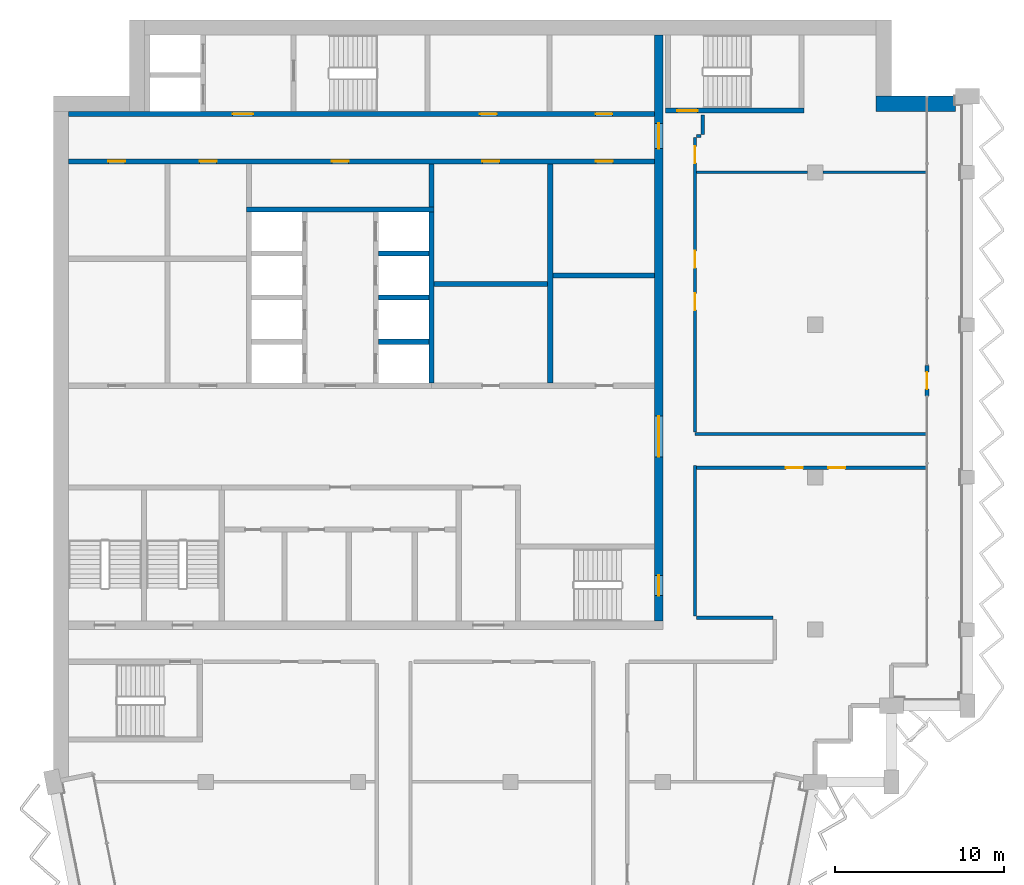
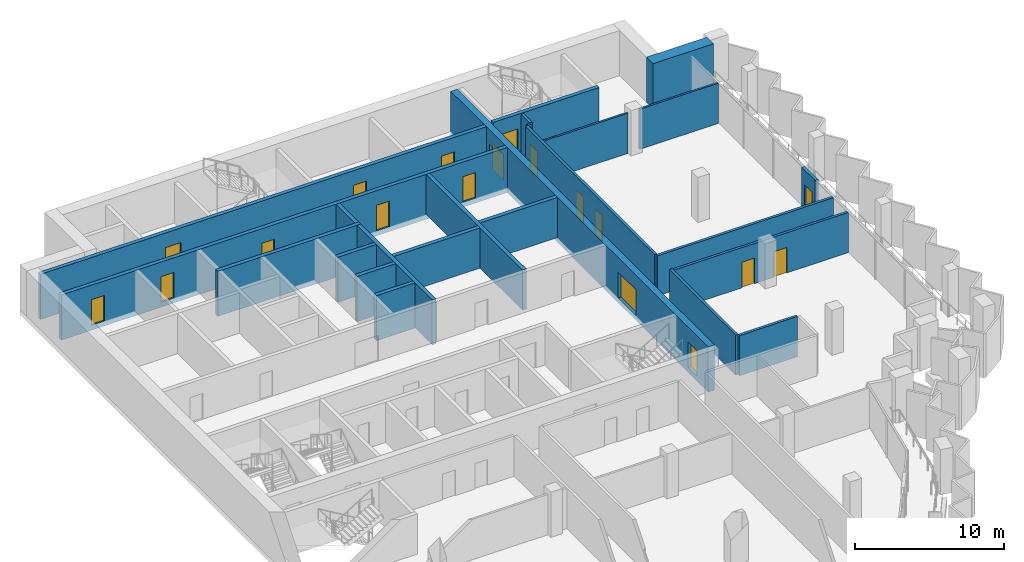
# One storey, part 9 of 14: 24 walls, 18 doors, 18 openings.
"""IFC4 building model written with IfcOpenShell, lengths in metres."""

from ifc_helpers import new_model, si_unit, direction, frame, frame_2d, origin, place, context, subcontext, project, spatial, rectangle, extrude, material, layer, layer_set, type_object, element, fill, save


model = new_model("IFC4")

# Units and contexts
model_context = context("Model", 3, precision=1e-05, world=origin(), true_north=direction((0.0, 1.0)))
body_context = subcontext(model_context, "Body", "Model", "MODEL_VIEW")
ifc_project = project(units=[si_unit("LENGTHUNIT", "METRE"), si_unit("AREAUNIT", "SQUARE_METRE"), si_unit("VOLUMEUNIT", "CUBIC_METRE"), si_unit("PLANEANGLEUNIT", "RADIAN"), si_unit("MASSUNIT", "GRAM", prefix="KILO")], contexts=[model_context])

# Site, building, storey
site_placement = place(None, origin())
site = spatial("IfcSite", under=ifc_project, at=site_placement, CompositionType="ELEMENT")
building_placement = place(site_placement, origin())
building = spatial("IfcBuilding", under=site, at=building_placement, Name="Hunhe Ridgeline Campus", CompositionType="ELEMENT")
storey_placement = place(building_placement, frame((0.0, 0.0, 295.60009765625)))
storey = spatial("IfcBuildingStorey", under=building, at=storey_placement, Name="L76", CompositionType="ELEMENT", Elevation=295.60009765625)

# Walls
ifc_material_1 = material(Name="Masonry concrete blockwork", Category="masonry")
ifc_layer_1 = layer(ifc_material_1, 0.300048828125)
ifc_layer_set_1 = layer_set([ifc_layer_1], Name="Core room partition 300 concrete block")
wall_type_1 = type_object("IfcWallType", Name="Core room partition 300 concrete block", PredefinedType="PARTITIONING", material=ifc_layer_set_1)
wall_1_placement = place(storey_placement, frame((22.5, 83.39990234375, 0.0), z_axis=(0.0, 0.0, 1.0), x_axis=(1.0, 0.0, 0.0)))
element("IfcWall", 1, at=wall_1_placement, inside=storey, type_object=wall_type_1, Name="L76 core partition 14", PredefinedType="PARTITIONING", context=body_context, shape_type="SweptSolid", body=[
    extrude(rectangle(XDim=6.699951171875, YDim=0.300048828125, at=frame_2d((3.35009765625, 0.0))), origin(), (0.0, 0.0, 1.0), 3.2998046875),
])
wall_2_placement = place(storey_placement, frame((29.5, 83.89990234375, 0.0), z_axis=(0.0, 0.0, 1.0), x_axis=(1.0, 0.0, 0.0)))
element("IfcWall", 2, at=wall_2_placement, inside=storey, type_object=wall_type_1, Name="L76 core partition 15", PredefinedType="PARTITIONING", context=body_context, shape_type="SweptSolid", body=[
    extrude(rectangle(XDim=6.0, YDim=0.300048828125, at=frame_2d((3.0, 0.0))), origin(), (0.0, 0.0, 1.0), 3.2998046875),
])
wall_3_placement = place(storey_placement, frame((22.35009765625, 87.949951171875, 0.0), z_axis=(0.0, 0.0, 1.0), x_axis=(0.0, 1.0, 0.0)))
element("IfcWall", 3, at=wall_3_placement, inside=storey, type_object=wall_type_1, Name="L76 core partition 40", PredefinedType="PARTITIONING", context=body_context, shape_type="SweptSolid", body=[
    extrude(rectangle(XDim=2.550048828125, YDim=0.300048828125, at=frame_2d((1.27490234375, 0.0))), origin(), (0.0, 0.0, 1.0), 3.2998046875),
])
wall_4_placement = place(storey_placement, frame((29.35009765625, 77.550048828125, 0.0), z_axis=(0.0, 0.0, 1.0), x_axis=(0.0, 1.0, 0.0)))
element("IfcWall", 4, at=wall_4_placement, inside=storey, type_object=wall_type_1, Name="L76 core partition 45", PredefinedType="PARTITIONING", context=body_context, shape_type="SweptSolid", body=[
    extrude(rectangle(XDim=12.949951171875, YDim=0.300048828125, at=frame_2d((6.47509765625, 0.0))), origin(), (0.0, 0.0, 1.0), 3.2998046875),
])

# Wall, openings, doors
ifc_material_2 = material(Name="Concrete C50", Category="concrete")
ifc_layer_2 = layer(ifc_material_2, 0.5)
ifc_layer_set_2 = layer_set([ifc_layer_2], Name="Core wall 500 reinforced concrete C50")
wall_type_2 = type_object("IfcWallType", Name="Core wall 500 reinforced concrete C50", PredefinedType="SOLIDWALL", material=ifc_layer_set_2)
wall_5_placement = place(storey_placement, frame((35.75, 63.5, -0.400146484375), z_axis=(0.0, 0.0, 1.0), x_axis=(0.0, 1.0, 0.0)))
wall_5 = element("IfcWall", 5, at=wall_5_placement, inside=storey, type_object=wall_type_2, Name="L76 core wall 46", PredefinedType="SOLIDWALL", context=body_context, shape_type="SweptSolid", body=[
    extrude(rectangle(XDim=34.60009765625, YDim=0.5, at=frame_2d((17.300048828125, 0.0))), origin(), (0.0, 0.0, 1.0), 3.699951171875),
])
opening_1_placement = place(wall_5_placement, frame((9.699951171875, 0.0, 0.39990234375)))
opening_1 = element("IfcOpeningElement", 6, at=opening_1_placement, cuts=wall_5, Name="Opening CD4", PredefinedType="OPENING", context=body_context, shape_type="SweptSolid", body=[
    extrude(rectangle(XDim=2.39990234375, YDim=2.10009765625, at=frame_2d((1.199951171875, 1.050048828125))), frame((0.0, 0.25, 0.0), z_axis=(0.0, -1.0, 0.0), x_axis=(1.0, 0.0, 0.0)), (0.0, 0.0, 1.0), 0.5),
])
opening_2_placement = place(wall_5_placement, frame((27.89990234375, 0.0, 0.39990234375)))
opening_2 = element("IfcOpeningElement", 7, at=opening_2_placement, cuts=wall_5, Name="Opening CD5", PredefinedType="OPENING", context=body_context, shape_type="SweptSolid", body=[
    extrude(rectangle(XDim=1.5, YDim=2.10009765625, at=frame_2d((0.75, 1.050048828125))), frame((0.0, 0.25, 0.0), z_axis=(0.0, -1.0, 0.0), x_axis=(1.0, 0.0, 0.0)), (0.0, 0.0, 1.0), 0.5),
])
opening_3_placement = place(wall_5_placement, frame((1.5, 0.0, 0.39990234375)))
opening_3 = element("IfcOpeningElement", 8, at=opening_3_placement, cuts=wall_5, Name="Opening CD15", PredefinedType="OPENING", context=body_context, shape_type="SweptSolid", body=[
    extrude(rectangle(XDim=1.199951171875, YDim=2.10009765625, at=frame_2d((0.60009765625, 1.050048828125))), frame((0.0, 0.25, 0.0), z_axis=(0.0, -1.0, 0.0), x_axis=(1.0, 0.0, 0.0)), (0.0, 0.0, 1.0), 0.5),
])
ifc_material_3 = material(Name="Anodised aluminium and glass", Category="aluminium")
door_type_1 = type_object("IfcDoorType", Name="Glazed double door 2400x2100", OperationType="DOUBLE_DOOR_SINGLE_SWING", PredefinedType="DOOR", material=ifc_material_3)
door_1_placement = place(opening_1_placement, frame((2.39990234375, 0.0, 0.0), z_axis=(0.0, 0.0, 1.0), x_axis=(-1.0, 0.0, 0.0)))
door_1 = element("IfcDoor", 9, at=door_1_placement, inside=storey, type_object=door_type_1, Name="L76 door HALL-FLOOR", OperationType="DOUBLE_DOOR_SINGLE_SWING", OverallHeight=2.10009765625, OverallWidth=2.39990234375, PredefinedType="DOOR", context=body_context, shape_type="SweptSolid", body=[
    extrude(rectangle(XDim=2.39990234375, YDim=2.10009765625, at=frame_2d((1.199951171875, 1.050048828125))), frame((0.0, 0.02490234375, 0.0), z_axis=(0.0, -1.0, 0.0), x_axis=(1.0, 0.0, 0.0)), (0.0, 0.0, 1.0), 0.050048828125),
])
fill(opening_1, door_1)
ifc_material_4 = material(Name="Hollow metal fire door leaf")
door_type_2 = type_object("IfcDoorType", Name="Stair door 1200x2100 FD60", OperationType="SINGLE_SWING_LEFT", PredefinedType="DOOR", material=ifc_material_4)
door_2_placement = place(opening_3_placement, frame((1.199951171875, 0.0, 0.0), z_axis=(0.0, 0.0, 1.0), x_axis=(-1.0, 0.0, 0.0)))
door_2 = element("IfcDoor", 10, at=door_2_placement, inside=storey, type_object=door_type_2, Name="L76 door S2-FLOOR", OperationType="SINGLE_SWING_LEFT", OverallHeight=2.10009765625, OverallWidth=1.199951171875, PredefinedType="DOOR", context=body_context, shape_type="SweptSolid", body=[
    extrude(rectangle(XDim=1.199951171875, YDim=2.10009765625, at=frame_2d((0.60009765625, 1.050048828125))), frame((0.0, 0.02490234375, 0.0), z_axis=(0.0, -1.0, 0.0), x_axis=(1.0, 0.0, 0.0)), (0.0, 0.0, 1.0), 0.050048828125),
])
fill(opening_3, door_2)
ifc_material_5 = material(Name="Solid core timber door leaf", Category="wood")
door_type_3 = type_object("IfcDoorType", Name="Timber door 1500x2100", OperationType="SINGLE_SWING_LEFT", PredefinedType="DOOR", material=ifc_material_5)
door_3_placement = place(opening_2_placement, frame((1.5, 0.0, 0.0), z_axis=(0.0, 0.0, 1.0), x_axis=(-1.0, 0.0, 0.0)))
door_3 = element("IfcDoor", 11, at=door_3_placement, inside=storey, type_object=door_type_3, Name="L76 door C1-FLOOR", OperationType="SINGLE_SWING_LEFT", OverallHeight=2.10009765625, OverallWidth=1.5, PredefinedType="DOOR", context=body_context, shape_type="SweptSolid", body=[
    extrude(rectangle(XDim=1.5, YDim=2.10009765625, at=frame_2d((0.75, 1.050048828125))), frame((0.0, 0.02490234375, 0.0), z_axis=(0.0, -1.0, 0.0), x_axis=(1.0, 0.0, 0.0)), (0.0, 0.0, 1.0), 0.050048828125),
])
fill(opening_2, door_3)

# Wall
ifc_material_6 = material(Name="Gypsum board partition")
ifc_layer_3 = layer(ifc_material_6, 0.199951171875)
ifc_layer_set_3 = layer_set([ifc_layer_3], Name="Corridor partition 200 gypsum board on steel studs")
wall_type_3 = type_object("IfcWallType", Name="Corridor partition 200 gypsum board on steel studs", PredefinedType="PARTITIONING", material=ifc_layer_set_3)
wall_6_placement = place(storey_placement, frame((38.0, 63.699951171875, 0.0), z_axis=(0.0, 0.0, 1.0), x_axis=(1.0, 0.0, 0.0)))
element("IfcWall", 12, at=wall_6_placement, inside=storey, type_object=wall_type_3, Name="F-L76-wall-011", PredefinedType="PARTITIONING", context=body_context, shape_type="SweptSolid", body=[
    extrude(rectangle(XDim=4.5, YDim=0.199951171875, at=frame_2d((2.25, 0.0))), origin(), (0.0, 0.0, 1.0), 3.2998046875),
])

# Wall, openings, doors
wall_7_placement = place(storey_placement, frame((51.544921875, 72.550048828125, 0.0), z_axis=(0.0, 0.0, 1.0), x_axis=(-1.0, 0.0, 0.0)))
wall_7 = element("IfcWall", 13, at=wall_7_placement, inside=storey, type_object=wall_type_3, Name="F-L76-wall-012", PredefinedType="PARTITIONING", context=body_context, shape_type="SweptSolid", body=[
    extrude(rectangle(XDim=13.544921875, YDim=0.199951171875, at=frame_2d((6.7724609375, 0.0))), origin(), (0.0, 0.0, 1.0), 3.2998046875),
])
opening_4_placement = place(wall_7_placement, frame((7.2724609375, 0.0, 0.0)))
opening_4 = element("IfcOpeningElement", 14, at=opening_4_placement, cuts=wall_7, Name="Opening RD1-012", PredefinedType="OPENING", context=body_context, shape_type="SweptSolid", body=[
    extrude(rectangle(XDim=1.0, YDim=2.10009765625, at=frame_2d((0.5, 1.050048828125))), frame((0.0, 0.10009765625, 0.0), z_axis=(0.0, -1.0, 0.0), x_axis=(1.0, 0.0, 0.0)), (0.0, 0.0, 1.0), 0.199951171875),
])
opening_5_placement = place(wall_7_placement, frame((4.7724609375, 0.0, 0.0)))
opening_5 = element("IfcOpeningElement", 15, at=opening_5_placement, cuts=wall_7, Name="Opening RD1-013", PredefinedType="OPENING", context=body_context, shape_type="SweptSolid", body=[
    extrude(rectangle(XDim=1.0, YDim=2.10009765625, at=frame_2d((0.5, 1.050048828125))), frame((0.0, 0.10009765625, 0.0), z_axis=(0.0, -1.0, 0.0), x_axis=(1.0, 0.0, 0.0)), (0.0, 0.0, 1.0), 0.199951171875),
])
ifc_material_7 = material(Name="Timber door leaf", Category="wood")
door_type_4 = type_object("IfcDoorType", Name="Single fire door 1000x2100 timber FD60", OperationType="NOTDEFINED", PredefinedType="DOOR", material=ifc_material_7)
door_4_placement = place(opening_4_placement, frame((1.0, 0.0, 0.0), z_axis=(0.0, 0.0, 1.0), x_axis=(-1.0, 0.0, 0.0)))
door_4 = element("IfcDoor", 16, at=door_4_placement, inside=storey, type_object=door_type_4, Name="F-L76-door-012", OperationType="SINGLE_SWING_LEFT", OverallHeight=2.10009765625, OverallWidth=1.0, PredefinedType="DOOR", context=body_context, shape_type="SweptSolid", body=[
    extrude(rectangle(XDim=1.0, YDim=2.10009765625, at=frame_2d((0.5, 1.050048828125))), frame((0.0, 0.02490234375, 0.0), z_axis=(0.0, -1.0, 0.0), x_axis=(1.0, 0.0, 0.0)), (0.0, 0.0, 1.0), 0.050048828125),
])
fill(opening_4, door_4)
door_5_placement = place(opening_5_placement, frame((1.0, 0.0, 0.0), z_axis=(0.0, 0.0, 1.0), x_axis=(-1.0, 0.0, 0.0)))
door_5 = element("IfcDoor", 17, at=door_5_placement, inside=storey, type_object=door_type_4, Name="F-L76-door-013", OperationType="SINGLE_SWING_RIGHT", OverallHeight=2.10009765625, OverallWidth=1.0, PredefinedType="DOOR", context=body_context, shape_type="SweptSolid", body=[
    extrude(rectangle(XDim=1.0, YDim=2.10009765625, at=frame_2d((0.5, 1.050048828125))), frame((0.0, 0.02490234375, 0.0), z_axis=(0.0, -1.0, 0.0), x_axis=(1.0, 0.0, 0.0)), (0.0, 0.0, 1.0), 0.050048828125),
])
fill(opening_5, door_5)

# Walls
wall_8_placement = place(storey_placement, frame((37.89990234375, 74.550048828125, 0.0), z_axis=(0.0, 0.0, 1.0), x_axis=(1.0, 0.0, 0.0)))
element("IfcWall", 18, at=wall_8_placement, inside=storey, type_object=wall_type_3, Name="F-L76-wall-013", PredefinedType="PARTITIONING", context=body_context, shape_type="SweptSolid", body=[
    extrude(rectangle(XDim=13.64501953125, YDim=0.199951171875, at=frame_2d((6.822509765625, 0.0))), origin(), (0.0, 0.0, 1.0), 3.2998046875),
])
wall_9_placement = place(storey_placement, frame((38.25, 92.14990234375, 0.0), z_axis=(0.0, 0.0, 1.0), x_axis=(-1.0, 0.0, 0.0)))
element("IfcWall", 19, at=wall_9_placement, inside=storey, type_object=wall_type_3, Name="F-L76-wall-016", PredefinedType="PARTITIONING", context=body_context, shape_type="SweptSolid", body=[
    extrude(rectangle(XDim=0.25, YDim=0.199951171875, at=frame_2d((0.125, 0.0))), origin(), (0.0, 0.0, 1.0), 3.2998046875),
])
wall_10_placement = place(storey_placement, frame((37.89990234375, 72.684326171875, 0.0), z_axis=(0.0, 0.0, 1.0), x_axis=(0.0, -1.0, 0.0)))
element("IfcWall", 20, at=wall_10_placement, inside=storey, type_object=wall_type_3, Name="F-L76-wall-022", PredefinedType="PARTITIONING", context=body_context, shape_type="SweptSolid", body=[
    extrude(rectangle(XDim=8.88427734375, YDim=0.199951171875, at=frame_2d((4.442138671875, 0.0))), origin(), (0.0, 0.0, 1.0), 3.2998046875),
])

# Wall, openings, doors
wall_11_placement = place(storey_placement, frame((37.89990234375, 92.050048828125, 0.0), z_axis=(0.0, 0.0, 1.0), x_axis=(0.0, -1.0, 0.0)))
wall_11 = element("IfcWall", 21, at=wall_11_placement, inside=storey, type_object=wall_type_3, Name="F-L76-wall-023", PredefinedType="PARTITIONING", context=body_context, shape_type="SweptSolid", body=[
    extrude(rectangle(XDim=17.369384765625, YDim=0.199951171875, at=frame_2d((8.6845703125, 0.0))), origin(), (0.0, 0.0, 1.0), 3.2998046875),
])
opening_6_placement = place(wall_11_placement, frame((9.191650390625, 0.0, 0.0)))
opening_6 = element("IfcOpeningElement", 22, at=opening_6_placement, cuts=wall_11, Name="Opening RD1-014", PredefinedType="OPENING", context=body_context, shape_type="SweptSolid", body=[
    extrude(rectangle(XDim=1.0, YDim=2.10009765625, at=frame_2d((0.5, 1.050048828125))), frame((0.0, 0.10009765625, 0.0), z_axis=(0.0, -1.0, 0.0), x_axis=(1.0, 0.0, 0.0)), (0.0, 0.0, 1.0), 0.199951171875),
])
opening_7_placement = place(wall_11_placement, frame((6.691650390625, 0.0, 0.0)))
opening_7 = element("IfcOpeningElement", 23, at=opening_7_placement, cuts=wall_11, Name="Opening RD1-015", PredefinedType="OPENING", context=body_context, shape_type="SweptSolid", body=[
    extrude(rectangle(XDim=1.0, YDim=2.10009765625, at=frame_2d((0.5, 1.050048828125))), frame((0.0, 0.10009765625, 0.0), z_axis=(0.0, -1.0, 0.0), x_axis=(1.0, 0.0, 0.0)), (0.0, 0.0, 1.0), 0.199951171875),
])
opening_8_placement = place(wall_11_placement, frame((0.5068359375, 0.0, 0.0)))
opening_8 = element("IfcOpeningElement", 24, at=opening_8_placement, cuts=wall_11, Name="Opening RD1-016", PredefinedType="OPENING", context=body_context, shape_type="SweptSolid", body=[
    extrude(rectangle(XDim=1.0, YDim=2.10009765625, at=frame_2d((0.5, 1.050048828125))), frame((0.0, 0.10009765625, 0.0), z_axis=(0.0, -1.0, 0.0), x_axis=(1.0, 0.0, 0.0)), (0.0, 0.0, 1.0), 0.199951171875),
])
door_6_placement = place(opening_6_placement, frame((1.0, 0.0, 0.0), z_axis=(0.0, 0.0, 1.0), x_axis=(-1.0, 0.0, 0.0)))
door_6 = element("IfcDoor", 25, at=door_6_placement, inside=storey, type_object=door_type_4, Name="F-L76-door-014", OperationType="SINGLE_SWING_RIGHT", OverallHeight=2.10009765625, OverallWidth=1.0, PredefinedType="DOOR", context=body_context, shape_type="SweptSolid", body=[
    extrude(rectangle(XDim=1.0, YDim=2.10009765625, at=frame_2d((0.5, 1.050048828125))), frame((0.0, 0.02490234375, 0.0), z_axis=(0.0, -1.0, 0.0), x_axis=(1.0, 0.0, 0.0)), (0.0, 0.0, 1.0), 0.050048828125),
])
fill(opening_6, door_6)
door_7_placement = place(opening_7_placement, frame((1.0, 0.0, 0.0), z_axis=(0.0, 0.0, 1.0), x_axis=(-1.0, 0.0, 0.0)))
door_7 = element("IfcDoor", 26, at=door_7_placement, inside=storey, type_object=door_type_4, Name="F-L76-door-015", OperationType="SINGLE_SWING_RIGHT", OverallHeight=2.10009765625, OverallWidth=1.0, PredefinedType="DOOR", context=body_context, shape_type="SweptSolid", body=[
    extrude(rectangle(XDim=1.0, YDim=2.10009765625, at=frame_2d((0.5, 1.050048828125))), frame((0.0, 0.02490234375, 0.0), z_axis=(0.0, -1.0, 0.0), x_axis=(1.0, 0.0, 0.0)), (0.0, 0.0, 1.0), 0.050048828125),
])
fill(opening_7, door_7)
door_8_placement = place(opening_8_placement, frame((1.0, 0.0, 0.0), z_axis=(0.0, 0.0, 1.0), x_axis=(-1.0, 0.0, 0.0)))
door_8 = element("IfcDoor", 27, at=door_8_placement, inside=storey, type_object=door_type_4, Name="F-L76-door-016", OperationType="SINGLE_SWING_RIGHT", OverallHeight=2.10009765625, OverallWidth=1.0, PredefinedType="DOOR", context=body_context, shape_type="SweptSolid", body=[
    extrude(rectangle(XDim=1.0, YDim=2.10009765625, at=frame_2d((0.5, 1.050048828125))), frame((0.0, 0.02490234375, 0.0), z_axis=(0.0, -1.0, 0.0), x_axis=(1.0, 0.0, 0.0)), (0.0, 0.0, 1.0), 0.050048828125),
])
fill(opening_8, door_8)

# Wall
wall_12_placement = place(storey_placement, frame((38.35009765625, 93.39599609375, 0.0), z_axis=(0.0, 0.0, 1.0), x_axis=(0.0, -1.0, 0.0)))
element("IfcWall", 28, at=wall_12_placement, inside=storey, type_object=wall_type_3, Name="F-L76-wall-024", PredefinedType="PARTITIONING", context=body_context, shape_type="SweptSolid", body=[
    extrude(rectangle(XDim=1.14599609375, YDim=0.199951171875, at=frame_2d((0.572998046875, 0.0))), origin(), (0.0, 0.0, 1.0), 3.2998046875),
])

# Wall, openings, doors
ifc_layer_4 = layer(ifc_material_2, 0.300048828125)
ifc_layer_set_4 = layer_set([ifc_layer_4], Name="Lobby wall 300 reinforced concrete C50")
wall_type_4 = type_object("IfcWallType", Name="Lobby wall 300 reinforced concrete C50", PredefinedType="SOLIDWALL", material=ifc_layer_set_4)
wall_13_placement = place(storey_placement, frame((0.89990234375, 90.64990234375, -0.400146484375), z_axis=(0.0, 0.0, 1.0), x_axis=(1.0, 0.0, 0.0)))
wall_13 = element("IfcWall", 29, at=wall_13_placement, inside=storey, type_object=wall_type_4, Name="L76 core wall 20", PredefinedType="SOLIDWALL", context=body_context, shape_type="SweptSolid", body=[
    extrude(rectangle(XDim=34.60009765625, YDim=0.300048828125, at=frame_2d((17.300048828125, 0.0))), origin(), (0.0, 0.0, 1.0), 3.699951171875),
])
opening_9_placement = place(wall_13_placement, frame((15.550048828125, 0.0, 0.39990234375)))
opening_9 = element("IfcOpeningElement", 30, at=opening_9_placement, cuts=wall_13, Name="Opening CD26", PredefinedType="OPENING", context=body_context, shape_type="SweptSolid", body=[
    extrude(rectangle(XDim=1.0, YDim=2.10009765625, at=frame_2d((0.5, 1.050048828125))), frame((0.0, 0.14990234375, 0.0), z_axis=(0.0, -1.0, 0.0), x_axis=(1.0, 0.0, 0.0)), (0.0, 0.0, 1.0), 0.300048828125),
])
opening_10_placement = place(wall_13_placement, frame((2.35009765625, 0.0, 0.39990234375)))
opening_10 = element("IfcOpeningElement", 31, at=opening_10_placement, cuts=wall_13, Name="Opening CD40", PredefinedType="OPENING", context=body_context, shape_type="SweptSolid", body=[
    extrude(rectangle(XDim=1.0, YDim=2.10009765625, at=frame_2d((0.5, 1.050048828125))), frame((0.0, 0.14990234375, 0.0), z_axis=(0.0, -1.0, 0.0), x_axis=(1.0, 0.0, 0.0)), (0.0, 0.0, 1.0), 0.300048828125),
])
opening_11_placement = place(wall_13_placement, frame((7.75, 0.0, 0.39990234375)))
opening_11 = element("IfcOpeningElement", 32, at=opening_11_placement, cuts=wall_13, Name="Opening CD43", PredefinedType="OPENING", context=body_context, shape_type="SweptSolid", body=[
    extrude(rectangle(XDim=1.0, YDim=2.10009765625, at=frame_2d((0.5, 1.050048828125))), frame((0.0, 0.14990234375, 0.0), z_axis=(0.0, -1.0, 0.0), x_axis=(1.0, 0.0, 0.0)), (0.0, 0.0, 1.0), 0.300048828125),
])
opening_12_placement = place(wall_13_placement, frame((24.449951171875, 0.0, 0.39990234375)))
opening_12 = element("IfcOpeningElement", 33, at=opening_12_placement, cuts=wall_13, Name="Opening CD33", PredefinedType="OPENING", context=body_context, shape_type="SweptSolid", body=[
    extrude(rectangle(XDim=1.0, YDim=2.10009765625, at=frame_2d((0.5, 1.050048828125))), frame((0.0, 0.14990234375, 0.0), z_axis=(0.0, -1.0, 0.0), x_axis=(1.0, 0.0, 0.0)), (0.0, 0.0, 1.0), 0.300048828125),
])
opening_13_placement = place(wall_13_placement, frame((31.14990234375, 0.0, 0.39990234375)))
opening_13 = element("IfcOpeningElement", 34, at=opening_13_placement, cuts=wall_13, Name="Opening CD44", PredefinedType="OPENING", context=body_context, shape_type="SweptSolid", body=[
    extrude(rectangle(XDim=1.0, YDim=2.10009765625, at=frame_2d((0.5, 1.050048828125))), frame((0.0, 0.14990234375, 0.0), z_axis=(0.0, -1.0, 0.0), x_axis=(1.0, 0.0, 0.0)), (0.0, 0.0, 1.0), 0.300048828125),
])
door_type_5 = type_object("IfcDoorType", Name="Timber door 1000x2100", OperationType="SINGLE_SWING_LEFT", PredefinedType="DOOR", material=ifc_material_5)
door_9_placement = place(opening_9_placement, frame((1.0, 0.0, 0.0), z_axis=(0.0, 0.0, 1.0), x_axis=(-1.0, 0.0, 0.0)))
door_9 = element("IfcDoor", 35, at=door_9_placement, inside=storey, type_object=door_type_5, Name="L76 door NR-0", OperationType="SINGLE_SWING_LEFT", OverallHeight=2.10009765625, OverallWidth=1.0, PredefinedType="DOOR", context=body_context, shape_type="SweptSolid", body=[
    extrude(rectangle(XDim=1.0, YDim=2.10009765625, at=frame_2d((0.5, 1.050048828125))), frame((0.0, 0.02490234375, 0.0), z_axis=(0.0, -1.0, 0.0), x_axis=(1.0, 0.0, 0.0)), (0.0, 0.0, 1.0), 0.050048828125),
])
fill(opening_9, door_9)
door_10_placement = place(opening_10_placement, frame((1.0, 0.0, 0.0), z_axis=(0.0, 0.0, 1.0), x_axis=(-1.0, 0.0, 0.0)))
door_10 = element("IfcDoor", 36, at=door_10_placement, inside=storey, type_object=door_type_5, Name="L76 door VD-LR1", OperationType="SINGLE_SWING_LEFT", OverallHeight=2.10009765625, OverallWidth=1.0, PredefinedType="DOOR", context=body_context, shape_type="SweptSolid", body=[
    extrude(rectangle(XDim=1.0, YDim=2.10009765625, at=frame_2d((0.5, 1.050048828125))), frame((0.0, 0.02490234375, 0.0), z_axis=(0.0, -1.0, 0.0), x_axis=(1.0, 0.0, 0.0)), (0.0, 0.0, 1.0), 0.050048828125),
])
fill(opening_10, door_10)
door_11_placement = place(opening_11_placement, frame((1.0, 0.0, 0.0), z_axis=(0.0, 0.0, 1.0), x_axis=(-1.0, 0.0, 0.0)))
door_11 = element("IfcDoor", 37, at=door_11_placement, inside=storey, type_object=door_type_5, Name="L76 door VD-LR3", OperationType="SINGLE_SWING_LEFT", OverallHeight=2.10009765625, OverallWidth=1.0, PredefinedType="DOOR", context=body_context, shape_type="SweptSolid", body=[
    extrude(rectangle(XDim=1.0, YDim=2.10009765625, at=frame_2d((0.5, 1.050048828125))), frame((0.0, 0.02490234375, 0.0), z_axis=(0.0, -1.0, 0.0), x_axis=(1.0, 0.0, 0.0)), (0.0, 0.0, 1.0), 0.050048828125),
])
fill(opening_11, door_11)
door_12_placement = place(opening_12_placement, frame((1.0, 0.0, 0.0), z_axis=(0.0, 0.0, 1.0), x_axis=(-1.0, 0.0, 0.0)))
door_12 = element("IfcDoor", 38, at=door_12_placement, inside=storey, type_object=door_type_5, Name="L76 door ES1", OperationType="SINGLE_SWING_RIGHT", OverallHeight=2.10009765625, OverallWidth=1.0, PredefinedType="DOOR", context=body_context, shape_type="SweptSolid", body=[
    extrude(rectangle(XDim=1.0, YDim=2.10009765625, at=frame_2d((0.5, 1.050048828125))), frame((0.0, 0.02490234375, 0.0), z_axis=(0.0, -1.0, 0.0), x_axis=(1.0, 0.0, 0.0)), (0.0, 0.0, 1.0), 0.050048828125),
])
fill(opening_12, door_12)
door_13_placement = place(opening_13_placement, frame((1.0, 0.0, 0.0), z_axis=(0.0, 0.0, 1.0), x_axis=(-1.0, 0.0, 0.0)))
door_13 = element("IfcDoor", 39, at=door_13_placement, inside=storey, type_object=door_type_5, Name="L76 door ES3", OperationType="SINGLE_SWING_RIGHT", OverallHeight=2.10009765625, OverallWidth=1.0, PredefinedType="DOOR", context=body_context, shape_type="SweptSolid", body=[
    extrude(rectangle(XDim=1.0, YDim=2.10009765625, at=frame_2d((0.5, 1.050048828125))), frame((0.0, 0.02490234375, 0.0), z_axis=(0.0, -1.0, 0.0), x_axis=(1.0, 0.0, 0.0)), (0.0, 0.0, 1.0), 0.050048828125),
])
fill(opening_13, door_13)

# Wall, opening, door
ifc_material_8 = material(Name="Concrete C30", Category="concrete")
ifc_layer_5 = layer(ifc_material_8, 0.25)
ifc_layer_set_5 = layer_set([ifc_layer_5], Name="Loggia door pier wall 250 Concrete C30")
wall_type_5 = type_object("IfcWallType", Name="Loggia door pier wall 250 Concrete C30", PredefinedType="SOLIDWALL", material=ifc_layer_set_5)
wall_14_placement = place(storey_placement, frame((51.59912109375, 76.800537109375, 0.0), z_axis=(0.0, 0.0, 1.0), x_axis=(0.0, 1.0, 0.0)))
wall_14 = element("IfcWall", 40, at=wall_14_placement, inside=storey, type_object=wall_type_5, Name="Loggia door pier 3", PredefinedType="SOLIDWALL", context=body_context, shape_type="SweptSolid", body=[
    extrude(rectangle(XDim=1.800048828125, YDim=0.25, at=frame_2d((0.89990234375, 0.0))), origin(), (0.0, 0.0, 1.0), 3.2998046875),
])
opening_14_placement = place(wall_14_placement, frame((0.39990234375, 0.0, 0.0)))
opening_14 = element("IfcOpeningElement", 41, at=opening_14_placement, cuts=wall_14, Name="Opening BD605", PredefinedType="OPENING", context=body_context, shape_type="SweptSolid", body=[
    extrude(rectangle(XDim=1.0, YDim=2.10009765625, at=frame_2d((0.5, 1.050048828125))), frame((0.0, 0.125, 0.0), z_axis=(0.0, -1.0, 0.0), x_axis=(1.0, 0.0, 0.0)), (0.0, 0.0, 1.0), 0.25),
])
ifc_material_9 = material(Name="Aluminium 6063", Category="aluminium")
door_type_6 = type_object("IfcDoorType", Name="Loggia glazed door 1000x2100", OperationType="NOTDEFINED", PredefinedType="DOOR", material=ifc_material_9)
door_14_placement = place(opening_14_placement, frame((1.0, 0.0, 0.0), z_axis=(0.0, 0.0, 1.0), x_axis=(-1.0, 0.0, 0.0)))
door_14 = element("IfcDoor", 42, at=door_14_placement, inside=storey, type_object=door_type_6, Name="Loggia door BD605", OperationType="SINGLE_SWING_RIGHT", OverallHeight=2.10009765625, OverallWidth=1.0, PredefinedType="DOOR", context=body_context, shape_type="SweptSolid", body=[
    extrude(rectangle(XDim=1.0, YDim=2.10009765625, at=frame_2d((0.5, 1.050048828125))), frame((0.0, 0.02490234375, 0.0), z_axis=(0.0, -1.0, 0.0), x_axis=(1.0, 0.0, 0.0)), (0.0, 0.0, 1.0), 0.050048828125),
])
fill(opening_14, door_14)

# Walls
ifc_layer_6 = layer(ifc_material_6, 0.14990234375)
ifc_layer_set_6 = layer_set([ifc_layer_6], Name="Room partition 150 gypsum board on steel studs")
wall_type_6 = type_object("IfcWallType", Name="Room partition 150 gypsum board on steel studs", PredefinedType="PARTITIONING", material=ifc_layer_set_6)
wall_15_placement = place(storey_placement, frame((38.0, 90.0, 0.0), z_axis=(0.0, 0.0, 1.0), x_axis=(1.0, 0.0, 0.0)))
element("IfcWall", 43, at=wall_15_placement, inside=storey, type_object=wall_type_6, Name="F-L76-wall-014", PredefinedType="PARTITIONING", context=body_context, shape_type="SweptSolid", body=[
    extrude(rectangle(XDim=6.550048828125, YDim=0.14990234375, at=frame_2d((3.27490234375, 0.0))), origin(), (0.0, 0.0, 1.0), 3.2998046875),
])
wall_16_placement = place(storey_placement, frame((45.449951171875, 90.0, 0.0), z_axis=(0.0, 0.0, 1.0), x_axis=(1.0, 0.0, 0.0)))
element("IfcWall", 44, at=wall_16_placement, inside=storey, type_object=wall_type_6, Name="F-L76-wall-015", PredefinedType="PARTITIONING", context=body_context, shape_type="SweptSolid", body=[
    extrude(rectangle(XDim=6.094970703125, YDim=0.14990234375, at=frame_2d((3.04736328125, 0.0))), origin(), (0.0, 0.0, 1.0), 3.2998046875),
])
ifc_layer_7 = layer(ifc_material_2, 0.300048828125)
ifc_layer_set_7 = layer_set([ifc_layer_7], Name="Shaft wall 300 reinforced concrete C50")
wall_type_7 = type_object("IfcWallType", Name="Shaft wall 300 reinforced concrete C50", PredefinedType="SOLIDWALL", material=ifc_layer_set_7)
for number, where, z_axis, x_axis, name in (
    (45, (19.199951171875, 80.0, -0.400146484375), (0.0, 0.0, 1.0), (1.0, 0.0, 0.0), "L76 core wall 11"),
    (46, (19.199951171875, 82.60009765625, -0.400146484375), (0.0, 0.0, 1.0), (1.0, 0.0, 0.0), "L76 core wall 13"),
    (47, (19.199951171875, 85.199951171875, -0.400146484375), (0.0, 0.0, 1.0), (1.0, 0.0, 0.0), "L76 core wall 18"),
):
    element("IfcWall", number, at=place(storey_placement, frame(where, z_axis=z_axis, x_axis=x_axis)), inside=storey, type_object=wall_type_7, Name=name, PredefinedType="SOLIDWALL", context=body_context, shape_type="SweptSolid", body=[
        extrude(rectangle(XDim=3.0, YDim=0.300048828125, at=frame_2d((1.5, 0.0))), origin(), (0.0, 0.0, 1.0), 3.699951171875),
    ])
wall_17_placement = place(storey_placement, frame((11.39990234375, 87.800048828125, -0.400146484375), z_axis=(0.0, 0.0, 1.0), x_axis=(1.0, 0.0, 0.0)))
element("IfcWall", 48, at=wall_17_placement, inside=storey, type_object=wall_type_7, Name="L76 core wall 19", PredefinedType="SOLIDWALL", context=body_context, shape_type="SweptSolid", body=[
    extrude(rectangle(XDim=11.10009765625, YDim=0.300048828125, at=frame_2d((5.550048828125, 0.0))), origin(), (0.0, 0.0, 1.0), 3.699951171875),
])

# Wall, openings, doors
wall_18_placement = place(storey_placement, frame((0.89990234375, 93.449951171875, -0.400146484375), z_axis=(0.0, 0.0, 1.0), x_axis=(1.0, 0.0, 0.0)))
wall_18 = element("IfcWall", 49, at=wall_18_placement, inside=storey, type_object=wall_type_7, Name="L76 core wall 21", PredefinedType="SOLIDWALL", context=body_context, shape_type="SweptSolid", body=[
    extrude(rectangle(XDim=34.60009765625, YDim=0.300048828125, at=frame_2d((17.300048828125, 0.0))), origin(), (0.0, 0.0, 1.0), 3.699951171875),
])
opening_15_placement = place(wall_18_placement, frame((9.699951171875, 0.0, 0.39990234375)))
opening_15 = element("IfcOpeningElement", 50, at=opening_15_placement, cuts=wall_18, Name="Opening CD3", PredefinedType="OPENING", context=body_context, shape_type="SweptSolid", body=[
    extrude(rectangle(XDim=1.199951171875, YDim=2.10009765625, at=frame_2d((0.60009765625, 1.050048828125))), frame((0.0, 0.14990234375, 0.0), z_axis=(0.0, -1.0, 0.0), x_axis=(1.0, 0.0, 0.0)), (0.0, 0.0, 1.0), 0.300048828125),
])
opening_16_placement = place(wall_18_placement, frame((24.300048828125, 0.0, 0.39990234375)))
opening_16 = element("IfcOpeningElement", 51, at=opening_16_placement, cuts=wall_18, Name="Opening CD34", PredefinedType="OPENING", context=body_context, shape_type="SweptSolid", body=[
    extrude(rectangle(XDim=1.0, YDim=2.10009765625, at=frame_2d((0.5, 1.050048828125))), frame((0.0, 0.14990234375, 0.0), z_axis=(0.0, -1.0, 0.0), x_axis=(1.0, 0.0, 0.0)), (0.0, 0.0, 1.0), 0.300048828125),
])
opening_17_placement = place(wall_18_placement, frame((31.125, 0.0, 0.39990234375)))
opening_17 = element("IfcOpeningElement", 52, at=opening_17_placement, cuts=wall_18, Name="Opening CD35", PredefinedType="OPENING", context=body_context, shape_type="SweptSolid", body=[
    extrude(rectangle(XDim=1.0, YDim=2.10009765625, at=frame_2d((0.5, 1.050048828125))), frame((0.0, 0.14990234375, 0.0), z_axis=(0.0, -1.0, 0.0), x_axis=(1.0, 0.0, 0.0)), (0.0, 0.0, 1.0), 0.300048828125),
])
door_type_7 = type_object("IfcDoorType", Name="Lobby door 1200x2100 FD60", OperationType="SINGLE_SWING_LEFT", PredefinedType="DOOR", material=ifc_material_4)
door_15_placement = place(opening_15_placement, frame((1.199951171875, 0.0, 0.0), z_axis=(0.0, 0.0, 1.0), x_axis=(-1.0, 0.0, 0.0)))
door_15 = element("IfcDoor", 53, at=door_15_placement, inside=storey, type_object=door_type_7, Name="L76 door FF-C1", OperationType="SINGLE_SWING_RIGHT", OverallHeight=2.10009765625, OverallWidth=1.199951171875, PredefinedType="DOOR", context=body_context, shape_type="SweptSolid", body=[
    extrude(rectangle(XDim=1.199951171875, YDim=2.10009765625, at=frame_2d((0.60009765625, 1.050048828125))), frame((0.0, 0.02490234375, 0.0), z_axis=(0.0, -1.0, 0.0), x_axis=(1.0, 0.0, 0.0)), (0.0, 0.0, 1.0), 0.050048828125),
])
fill(opening_15, door_15)
door_16_placement = place(opening_16_placement, origin())
door_16 = element("IfcDoor", 54, at=door_16_placement, inside=storey, type_object=door_type_5, Name="L76 door NB0", OperationType="SINGLE_SWING_RIGHT", OverallHeight=2.10009765625, OverallWidth=1.0, PredefinedType="DOOR", context=body_context, shape_type="SweptSolid", body=[
    extrude(rectangle(XDim=1.0, YDim=2.10009765625, at=frame_2d((0.5, 1.050048828125))), frame((0.0, 0.02490234375, 0.0), z_axis=(0.0, -1.0, 0.0), x_axis=(1.0, 0.0, 0.0)), (0.0, 0.0, 1.0), 0.050048828125),
])
fill(opening_16, door_16)
door_17_placement = place(opening_17_placement, origin())
door_17 = element("IfcDoor", 55, at=door_17_placement, inside=storey, type_object=door_type_5, Name="L76 door NB1", OperationType="SINGLE_SWING_LEFT", OverallHeight=2.10009765625, OverallWidth=1.0, PredefinedType="DOOR", context=body_context, shape_type="SweptSolid", body=[
    extrude(rectangle(XDim=1.0, YDim=2.10009765625, at=frame_2d((0.5, 1.050048828125))), frame((0.0, 0.02490234375, 0.0), z_axis=(0.0, -1.0, 0.0), x_axis=(1.0, 0.0, 0.0)), (0.0, 0.0, 1.0), 0.050048828125),
])
fill(opening_17, door_17)

# Walls
wall_19_placement = place(storey_placement, frame((22.35009765625, 77.550048828125, -0.400146484375), z_axis=(0.0, 0.0, 1.0), x_axis=(0.0, 1.0, 0.0)))
element("IfcWall", 56, at=wall_19_placement, inside=storey, type_object=wall_type_7, Name="L76 core wall 39", PredefinedType="SOLIDWALL", context=body_context, shape_type="SweptSolid", body=[
    extrude(rectangle(XDim=10.099853515625, YDim=0.300048828125, at=frame_2d((5.0498046875, 0.0))), origin(), (0.0, 0.0, 1.0), 3.699951171875),
])
ifc_layer_8 = layer(ifc_material_2, 0.89990234375)
ifc_layer_set_8 = layer_set([ifc_layer_8], Name="Spine wall 900 Concrete C50")
wall_type_8 = type_object("IfcWallType", Name="Spine wall 900 Concrete C50", PredefinedType="SHEAR", material=ifc_layer_set_8)
wall_20_placement = place(storey_placement, frame((53.300048828125, 94.050048828125, 0.0), z_axis=(0.0, 0.0, 1.0), x_axis=(-1.0, 0.0, 0.0)))
element("IfcWall", 57, at=wall_20_placement, inside=storey, type_object=wall_type_8, Name="Spine wall SW4-2 L76", PredefinedType="SHEAR", context=body_context, shape_type="SweptSolid", body=[
    extrude(rectangle(XDim=4.699951171875, YDim=0.89990234375, at=frame_2d((2.35009765625, 0.0))), origin(), (0.0, 0.0, 1.0), 3.699951171875),
])

# Wall, opening, door
ifc_layer_9 = layer(ifc_material_2, 0.300048828125)
ifc_layer_set_9 = layer_set([ifc_layer_9], Name="Stair wall 300 reinforced concrete C50")
wall_type_9 = type_object("IfcWallType", Name="Stair wall 300 reinforced concrete C50", PredefinedType="SOLIDWALL", material=ifc_layer_set_9)
wall_21_placement = place(storey_placement, frame((36.14990234375, 93.64990234375, -0.400146484375), z_axis=(0.0, 0.0, 1.0), x_axis=(1.0, 0.0, 0.0)))
wall_21 = element("IfcWall", 58, at=wall_21_placement, inside=storey, type_object=wall_type_9, Name="L76 core wall 22", PredefinedType="SOLIDWALL", context=body_context, shape_type="SweptSolid", body=[
    extrude(rectangle(XDim=8.2001953125, YDim=0.300048828125, at=frame_2d((4.10009765625, 0.0))), origin(), (0.0, 0.0, 1.0), 3.699951171875),
])
opening_18_placement = place(wall_21_placement, frame((0.699951171875, 0.0, 0.39990234375)))
opening_18 = element("IfcOpeningElement", 59, at=opening_18_placement, cuts=wall_21, Name="Opening CD17", PredefinedType="OPENING", context=body_context, shape_type="SweptSolid", body=[
    extrude(rectangle(XDim=1.199951171875, YDim=2.10009765625, at=frame_2d((0.60009765625, 1.050048828125))), frame((0.0, 0.14990234375, 0.0), z_axis=(0.0, -1.0, 0.0), x_axis=(1.0, 0.0, 0.0)), (0.0, 0.0, 1.0), 0.300048828125),
])
door_18_placement = place(opening_18_placement, frame((1.199951171875, 0.0, 0.0), z_axis=(0.0, 0.0, 1.0), x_axis=(-1.0, 0.0, 0.0)))
door_18 = element("IfcDoor", 60, at=door_18_placement, inside=storey, type_object=door_type_2, Name="L76 door E1", OperationType="SINGLE_SWING_LEFT", OverallHeight=2.10009765625, OverallWidth=1.199951171875, PredefinedType="DOOR", context=body_context, shape_type="SweptSolid", body=[
    extrude(rectangle(XDim=1.199951171875, YDim=2.10009765625, at=frame_2d((0.60009765625, 1.050048828125))), frame((0.0, 0.02490234375, 0.0), z_axis=(0.0, -1.0, 0.0), x_axis=(1.0, 0.0, 0.0)), (0.0, 0.0, 1.0), 0.050048828125),
])
fill(opening_18, door_18)

save(model, "model.ifc")
